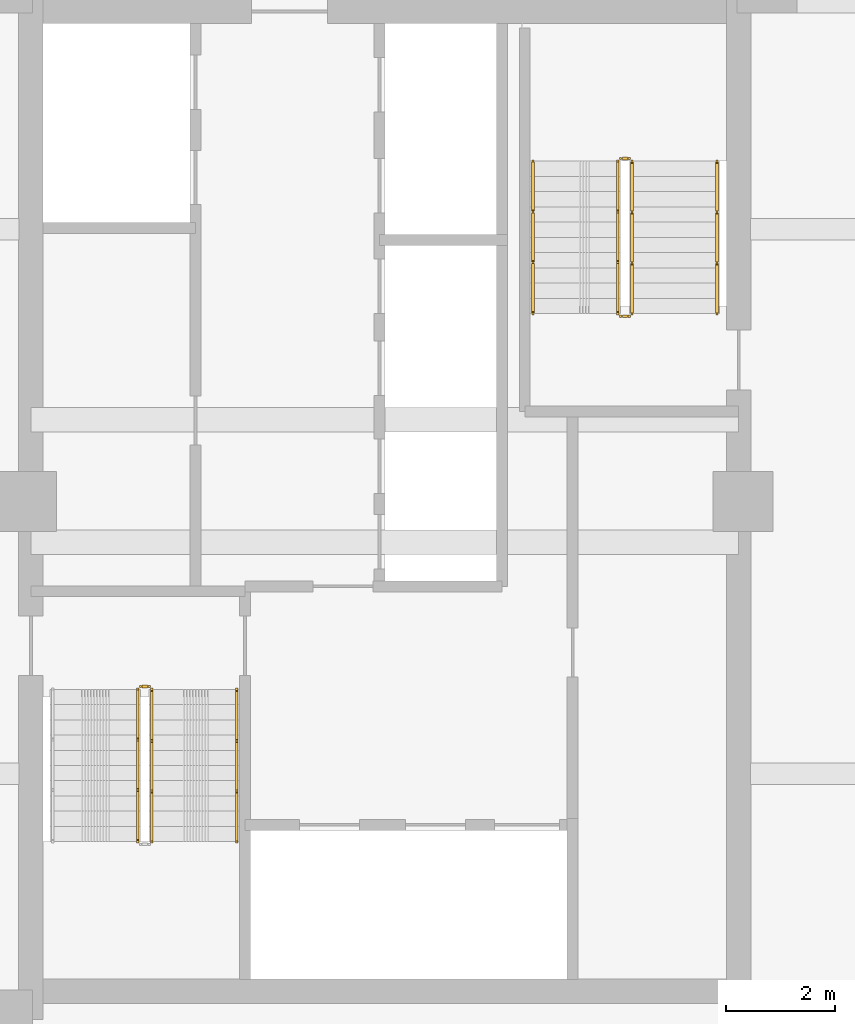
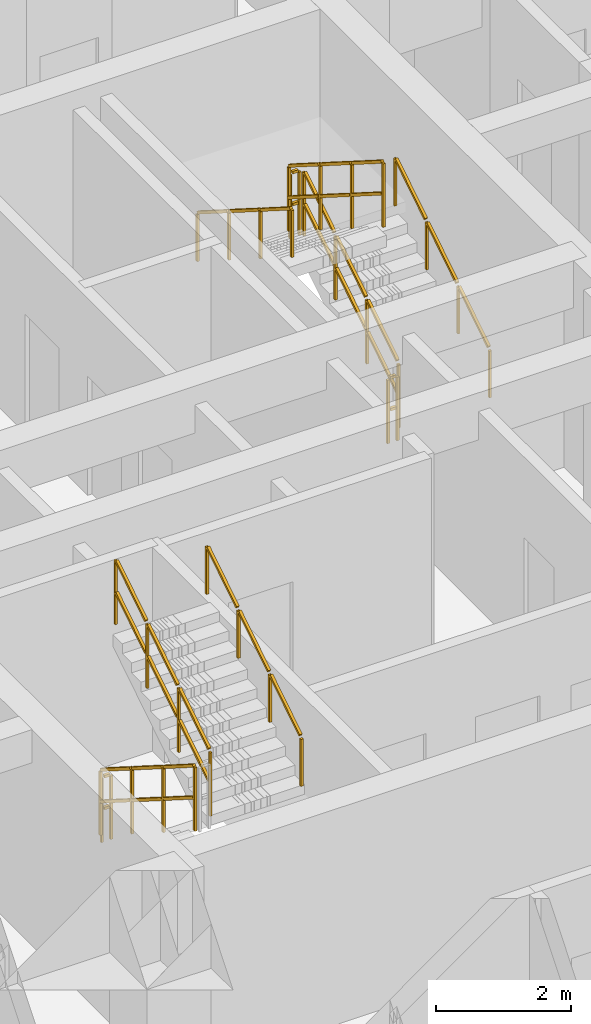
# One storey, part 13 of 15: 10 railings.
"""IFC4 building model written with IfcOpenShell, lengths in metres."""

from ifc_helpers import new_model, si_unit, direction, frame, origin, origin_2d, place, context, subcontext, project, spatial, rectangle, extrude, material, type_object, element, save


model = new_model("IFC4")

# Units and contexts
model_context = context("Model", 3, precision=1e-05, world=origin(), true_north=direction((0.0, 1.0)))
body_context = subcontext(model_context, "Body", "Model", "MODEL_VIEW")
ifc_project = project(units=[si_unit("LENGTHUNIT", "METRE"), si_unit("AREAUNIT", "SQUARE_METRE"), si_unit("VOLUMEUNIT", "CUBIC_METRE"), si_unit("PLANEANGLEUNIT", "RADIAN"), si_unit("MASSUNIT", "GRAM", prefix="KILO")], contexts=[model_context])

# Site, building, storey
site_placement = place(None, origin())
site = spatial("IfcSite", under=ifc_project, at=site_placement, CompositionType="ELEMENT")
building_placement = place(site_placement, origin())
building = spatial("IfcBuilding", under=site, at=building_placement, Name="Saelheon Loggia Tower", CompositionType="ELEMENT")
storey_placement = place(building_placement, frame((0.0, 0.0, 169.0)))
storey = spatial("IfcBuildingStorey", under=building, at=storey_placement, Name="L53", CompositionType="ELEMENT", Elevation=169.0)

# Railings
ifc_material_1 = material(Name="Galvanised Steel S275 Stairwell Guardrail", Category="steel")
railing_type_1 = type_object("IfcRailingType", Name="Guard_StairWell_RL_STG", PredefinedType="GUARDRAIL", material=ifc_material_1)
railing_1_placement = place(storey_placement, frame((33.4599609375, 23.550048828125, 0.17724609375)))
element("IfcRailing", 1, at=railing_1_placement, inside=storey, type_object=railing_type_1, Name="L53 ST1 stair guard 1", PredefinedType="GUARDRAIL", context=body_context, shape_type="SweptSolid", body=[
    extrude(rectangle(XDim=0.048095703125, YDim=0.048095703125, at=origin_2d()), frame((0.0, -0.028076171875, 1.193603515625), z_axis=(0.0, -0.844908973607, 0.534910110503), x_axis=(1.0, 0.0, 0.0)), (0.0, 0.0, 1.0), 1.0380859375),
    extrude(rectangle(XDim=0.048095703125, YDim=0.048095703125, at=origin_2d()), frame((0.0, -0.028076171875, 0.61767578125), z_axis=(0.0, -0.844908973607, 0.534910110503), x_axis=(1.0, 0.0, 0.0)), (0.0, 0.0, 1.0), 1.0380859375),
    extrude(rectangle(XDim=0.048095703125, YDim=0.048095703125, at=origin_2d()), frame((0.0, -0.96142578125, 1.78466796875), z_axis=(0.0, -0.844908973607, 0.534910110503), x_axis=(1.0, 0.0, 0.0)), (0.0, 0.0, 1.0), 1.0380859375),
    extrude(rectangle(XDim=0.048095703125, YDim=0.048095703125, at=origin_2d()), frame((0.0, -0.96142578125, 1.208740234375), z_axis=(0.0, -0.844908973607, 0.534910110503), x_axis=(1.0, 0.0, 0.0)), (0.0, 0.0, 1.0), 1.0380859375),
    extrude(rectangle(XDim=0.048095703125, YDim=0.048095703125, at=origin_2d()), frame((0.0, -1.894775390625, 2.37548828125), z_axis=(0.0, -0.844908973607, 0.534910110503), x_axis=(1.0, 0.0, 0.0)), (0.0, 0.0, 1.0), 1.0380859375),
    extrude(rectangle(XDim=0.048095703125, YDim=0.048095703125, at=origin_2d()), frame((0.0, -1.894775390625, 1.799560546875), z_axis=(0.0, -0.844908973607, 0.534910110503), x_axis=(1.0, 0.0, 0.0)), (0.0, 0.0, 1.0), 1.0380859375),
    extrude(rectangle(XDim=0.0419921875, YDim=0.0419921875, at=origin_2d()), origin(), (0.0, 0.0, 1.0), 1.14794921875),
    extrude(rectangle(XDim=0.0419921875, YDim=0.0419921875, at=origin_2d()), frame((0.0, -0.933349609375, 0.5908203125)), (0.0, 0.0, 1.0), 1.14794921875),
    extrude(rectangle(XDim=0.0419921875, YDim=0.0419921875, at=origin_2d()), frame((0.0, -1.86669921875, 1.181884765625)), (0.0, 0.0, 1.0), 1.14794921875),
    extrude(rectangle(XDim=0.0419921875, YDim=0.0419921875, at=origin_2d()), frame((0.0, -2.800048828125, 1.772705078125)), (0.0, 0.0, 1.0), 1.14794921875),
])
railing_2_placement = place(storey_placement, frame((33.719970703125, 20.75, 2.127197265625)))
element("IfcRailing", 2, at=railing_2_placement, inside=storey, type_object=railing_type_1, Name="L53 ST1 stair guard 3", PredefinedType="GUARDRAIL", context=body_context, shape_type="SweptSolid", body=[
    extrude(rectangle(XDim=0.048095703125, YDim=0.048095703125, at=origin_2d()), frame((0.0, 0.028076171875, 1.193603515625), z_axis=(0.0, 0.844908973607, 0.534910110503), x_axis=(-1.0, 0.0, 0.0)), (0.0, 0.0, 1.0), 1.0380859375),
    extrude(rectangle(XDim=0.048095703125, YDim=0.048095703125, at=origin_2d()), frame((0.0, 0.028076171875, 0.61767578125), z_axis=(0.0, 0.844908973607, 0.534910110503), x_axis=(-1.0, 0.0, 0.0)), (0.0, 0.0, 1.0), 1.0380859375),
    extrude(rectangle(XDim=0.048095703125, YDim=0.048095703125, at=origin_2d()), frame((0.0, 0.96142578125, 1.78466796875), z_axis=(0.0, 0.844908973607, 0.534910110503), x_axis=(-1.0, 0.0, 0.0)), (0.0, 0.0, 1.0), 1.0380859375),
    extrude(rectangle(XDim=0.048095703125, YDim=0.048095703125, at=origin_2d()), frame((0.0, 0.96142578125, 1.208740234375), z_axis=(0.0, 0.844908973607, 0.534910110503), x_axis=(-1.0, 0.0, 0.0)), (0.0, 0.0, 1.0), 1.0380859375),
    extrude(rectangle(XDim=0.048095703125, YDim=0.048095703125, at=origin_2d()), frame((0.0, 1.894775390625, 2.37548828125), z_axis=(0.0, 0.844908973607, 0.534910110503), x_axis=(-1.0, 0.0, 0.0)), (0.0, 0.0, 1.0), 1.0380859375),
    extrude(rectangle(XDim=0.048095703125, YDim=0.048095703125, at=origin_2d()), frame((0.0, 1.894775390625, 1.799560546875), z_axis=(0.0, 0.844908973607, 0.534910110503), x_axis=(-1.0, 0.0, 0.0)), (0.0, 0.0, 1.0), 1.0380859375),
    extrude(rectangle(XDim=0.0419921875, YDim=0.0419921875, at=origin_2d()), origin(), (0.0, 0.0, 1.0), 1.14794921875),
    extrude(rectangle(XDim=0.0419921875, YDim=0.0419921875, at=origin_2d()), frame((0.0, 0.933349609375, 0.5908203125)), (0.0, 0.0, 1.0), 1.14794921875),
    extrude(rectangle(XDim=0.0419921875, YDim=0.0419921875, at=origin_2d()), frame((0.0, 1.86669921875, 1.181884765625)), (0.0, 0.0, 1.0), 1.14794921875),
    extrude(rectangle(XDim=0.0419921875, YDim=0.0419921875, at=origin_2d()), frame((0.0, 2.800048828125, 1.772705078125)), (0.0, 0.0, 1.0), 1.14794921875),
])
railing_3_placement = place(storey_placement, frame((33.510009765625, 23.60009765625, 0.0)))
element("IfcRailing", 3, at=railing_3_placement, inside=storey, type_object=railing_type_1, Name="L53 ST1 stair guard 4", PredefinedType="GUARDRAIL", context=body_context, shape_type="SweptSolid", body=[
    extrude(rectangle(XDim=0.048095703125, YDim=0.048095703125, at=origin_2d()), frame((0.033203125, 0.0, 1.17578125), z_axis=(1.0, 0.0, 0.0), x_axis=(0.0, 1.0, 0.0)), (0.0, 0.0, 1.0), 0.093505859375),
    extrude(rectangle(XDim=0.048095703125, YDim=0.048095703125, at=origin_2d()), frame((0.033203125, 0.0, 0.60009765625), z_axis=(1.0, 0.0, 0.0), x_axis=(0.0, 1.0, 0.0)), (0.0, 0.0, 1.0), 0.093505859375),
    extrude(rectangle(XDim=0.0419921875, YDim=0.0419921875, at=origin_2d()), origin(), (0.0, 0.0, 1.0), 1.14794921875),
    extrude(rectangle(XDim=0.0419921875, YDim=0.0419921875, at=origin_2d()), frame((0.159912109375, 0.0, 0.0)), (0.0, 0.0, 1.0), 1.14794921875),
])
railing_4_placement = place(storey_placement, frame((42.5400390625, 30.449951171875, 0.17724609375)))
element("IfcRailing", 4, at=railing_4_placement, inside=storey, type_object=railing_type_1, Name="L53 ST2 stair guard 1", PredefinedType="GUARDRAIL", context=body_context, shape_type="SweptSolid", body=[
    extrude(rectangle(XDim=0.048095703125, YDim=0.048095703125, at=origin_2d()), frame((0.0, 0.028076171875, 1.193603515625), z_axis=(0.0, 0.844908973607, 0.534910110503), x_axis=(-1.0, 0.0, 0.0)), (0.0, 0.0, 1.0), 1.0380859375),
    extrude(rectangle(XDim=0.048095703125, YDim=0.048095703125, at=origin_2d()), frame((0.0, 0.028076171875, 0.61767578125), z_axis=(0.0, 0.844908973607, 0.534910110503), x_axis=(-1.0, 0.0, 0.0)), (0.0, 0.0, 1.0), 1.0380859375),
    extrude(rectangle(XDim=0.048095703125, YDim=0.048095703125, at=origin_2d()), frame((0.0, 0.96142578125, 1.78466796875), z_axis=(0.0, 0.844908973607, 0.534910110503), x_axis=(-1.0, 0.0, 0.0)), (0.0, 0.0, 1.0), 1.0380859375),
    extrude(rectangle(XDim=0.048095703125, YDim=0.048095703125, at=origin_2d()), frame((0.0, 0.96142578125, 1.208740234375), z_axis=(0.0, 0.844908973607, 0.534910110503), x_axis=(-1.0, 0.0, 0.0)), (0.0, 0.0, 1.0), 1.0380859375),
    extrude(rectangle(XDim=0.048095703125, YDim=0.048095703125, at=origin_2d()), frame((0.0, 1.894775390625, 2.37548828125), z_axis=(0.0, 0.844908973607, 0.534910110503), x_axis=(-1.0, 0.0, 0.0)), (0.0, 0.0, 1.0), 1.0380859375),
    extrude(rectangle(XDim=0.048095703125, YDim=0.048095703125, at=origin_2d()), frame((0.0, 1.894775390625, 1.799560546875), z_axis=(0.0, 0.844908973607, 0.534910110503), x_axis=(-1.0, 0.0, 0.0)), (0.0, 0.0, 1.0), 1.0380859375),
    extrude(rectangle(XDim=0.0419921875, YDim=0.0419921875, at=origin_2d()), origin(), (0.0, 0.0, 1.0), 1.14794921875),
    extrude(rectangle(XDim=0.0419921875, YDim=0.0419921875, at=origin_2d()), frame((0.0, 0.933349609375, 0.5908203125)), (0.0, 0.0, 1.0), 1.14794921875),
    extrude(rectangle(XDim=0.0419921875, YDim=0.0419921875, at=origin_2d()), frame((0.0, 1.86669921875, 1.181884765625)), (0.0, 0.0, 1.0), 1.14794921875),
    extrude(rectangle(XDim=0.0419921875, YDim=0.0419921875, at=origin_2d()), frame((0.0, 2.800048828125, 1.772705078125)), (0.0, 0.0, 1.0), 1.14794921875),
])
railing_5_placement = place(storey_placement, frame((42.489990234375, 33.300048828125, 1.949951171875)))
element("IfcRailing", 5, at=railing_5_placement, inside=storey, type_object=railing_type_1, Name="L53 ST2 stair guard 2", PredefinedType="GUARDRAIL", context=body_context, shape_type="SweptSolid", body=[
    extrude(rectangle(XDim=0.048095703125, YDim=0.048095703125, at=origin_2d()), frame((-0.033203125, 0.0, 1.17578125), z_axis=(-1.0, 0.0, 0.0), x_axis=(0.0, -1.0, 0.0)), (0.0, 0.0, 1.0), 0.093505859375),
    extrude(rectangle(XDim=0.048095703125, YDim=0.048095703125, at=origin_2d()), frame((-0.033203125, 0.0, 0.60009765625), z_axis=(-1.0, 0.0, 0.0), x_axis=(0.0, -1.0, 0.0)), (0.0, 0.0, 1.0), 0.093505859375),
    extrude(rectangle(XDim=0.0419921875, YDim=0.0419921875, at=origin_2d()), origin(), (0.0, 0.0, 1.0), 1.14794921875),
    extrude(rectangle(XDim=0.0419921875, YDim=0.0419921875, at=origin_2d()), frame((-0.159912109375, 0.0, 0.0)), (0.0, 0.0, 1.0), 1.14794921875),
])
railing_6_placement = place(storey_placement, frame((42.280029296875, 33.25, 2.127197265625)))
element("IfcRailing", 6, at=railing_6_placement, inside=storey, type_object=railing_type_1, Name="L53 ST2 stair guard 3", PredefinedType="GUARDRAIL", context=body_context, shape_type="SweptSolid", body=[
    extrude(rectangle(XDim=0.048095703125, YDim=0.048095703125, at=origin_2d()), frame((0.0, -0.028076171875, 1.193603515625), z_axis=(0.0, -0.844908973607, 0.534910110503), x_axis=(1.0, 0.0, 0.0)), (0.0, 0.0, 1.0), 1.0380859375),
    extrude(rectangle(XDim=0.048095703125, YDim=0.048095703125, at=origin_2d()), frame((0.0, -0.028076171875, 0.61767578125), z_axis=(0.0, -0.844908973607, 0.534910110503), x_axis=(1.0, 0.0, 0.0)), (0.0, 0.0, 1.0), 1.0380859375),
    extrude(rectangle(XDim=0.048095703125, YDim=0.048095703125, at=origin_2d()), frame((0.0, -0.96142578125, 1.78466796875), z_axis=(0.0, -0.844908973607, 0.534910110503), x_axis=(1.0, 0.0, 0.0)), (0.0, 0.0, 1.0), 1.0380859375),
    extrude(rectangle(XDim=0.048095703125, YDim=0.048095703125, at=origin_2d()), frame((0.0, -0.96142578125, 1.208740234375), z_axis=(0.0, -0.844908973607, 0.534910110503), x_axis=(1.0, 0.0, 0.0)), (0.0, 0.0, 1.0), 1.0380859375),
    extrude(rectangle(XDim=0.048095703125, YDim=0.048095703125, at=origin_2d()), frame((0.0, -1.894775390625, 2.37548828125), z_axis=(0.0, -0.844908973607, 0.534910110503), x_axis=(1.0, 0.0, 0.0)), (0.0, 0.0, 1.0), 1.0380859375),
    extrude(rectangle(XDim=0.048095703125, YDim=0.048095703125, at=origin_2d()), frame((0.0, -1.894775390625, 1.799560546875), z_axis=(0.0, -0.844908973607, 0.534910110503), x_axis=(1.0, 0.0, 0.0)), (0.0, 0.0, 1.0), 1.0380859375),
    extrude(rectangle(XDim=0.0419921875, YDim=0.0419921875, at=origin_2d()), origin(), (0.0, 0.0, 1.0), 1.14794921875),
    extrude(rectangle(XDim=0.0419921875, YDim=0.0419921875, at=origin_2d()), frame((0.0, -0.933349609375, 0.5908203125)), (0.0, 0.0, 1.0), 1.14794921875),
    extrude(rectangle(XDim=0.0419921875, YDim=0.0419921875, at=origin_2d()), frame((0.0, -1.86669921875, 1.181884765625)), (0.0, 0.0, 1.0), 1.14794921875),
    extrude(rectangle(XDim=0.0419921875, YDim=0.0419921875, at=origin_2d()), frame((0.0, -2.800048828125, 1.772705078125)), (0.0, 0.0, 1.0), 1.14794921875),
])
railing_7_placement = place(storey_placement, frame((42.489990234375, 30.39990234375, 0.0)))
element("IfcRailing", 7, at=railing_7_placement, inside=storey, type_object=railing_type_1, Name="L53 ST2 stair guard 4", PredefinedType="GUARDRAIL", context=body_context, shape_type="SweptSolid", body=[
    extrude(rectangle(XDim=0.048095703125, YDim=0.048095703125, at=origin_2d()), frame((-0.033203125, 0.0, 1.17578125), z_axis=(-1.0, 0.0, 0.0), x_axis=(0.0, -1.0, 0.0)), (0.0, 0.0, 1.0), 0.093505859375),
    extrude(rectangle(XDim=0.048095703125, YDim=0.048095703125, at=origin_2d()), frame((-0.033203125, 0.0, 0.60009765625), z_axis=(-1.0, 0.0, 0.0), x_axis=(0.0, -1.0, 0.0)), (0.0, 0.0, 1.0), 0.093505859375),
    extrude(rectangle(XDim=0.0419921875, YDim=0.0419921875, at=origin_2d()), origin(), (0.0, 0.0, 1.0), 1.14794921875),
    extrude(rectangle(XDim=0.0419921875, YDim=0.0419921875, at=origin_2d()), frame((-0.159912109375, 0.0, 0.0)), (0.0, 0.0, 1.0), 1.14794921875),
])
ifc_material_2 = material(Name="Stainless Steel 304 Tubular Handrail", Category="steel")
railing_type_2 = type_object("IfcRailingType", Name="Handrail_Stair_RL_HR1", PredefinedType="HANDRAIL", material=ifc_material_2)
for number, where, name in (
    (8, (35.280029296875, 20.75, 2.127197265625), "L53 ST1 stair handrail 2"),
    (9, (44.10009765625, 30.449951171875, 0.17724609375), "L53 ST2 stair handrail 1"),
):
    element("IfcRailing", number, at=place(storey_placement, frame(where)), inside=storey, type_object=railing_type_2, Name=name, PredefinedType="HANDRAIL", context=body_context, shape_type="SweptSolid", body=[
        extrude(rectangle(XDim=0.048095703125, YDim=0.048095703125, at=origin_2d()), frame((0.0, 0.028076171875, 0.8935546875), z_axis=(0.0, 0.844908973607, 0.534910110503), x_axis=(-1.0, 0.0, 0.0)), (0.0, 0.0, 1.0), 1.0380859375),
        extrude(rectangle(XDim=0.048095703125, YDim=0.048095703125, at=origin_2d()), frame((0.0, 0.96142578125, 1.484619140625), z_axis=(0.0, 0.844908973607, 0.534910110503), x_axis=(-1.0, 0.0, 0.0)), (0.0, 0.0, 1.0), 1.0380859375),
        extrude(rectangle(XDim=0.048095703125, YDim=0.048095703125, at=origin_2d()), frame((0.0, 1.894775390625, 2.075439453125), z_axis=(0.0, 0.844908973607, 0.534910110503), x_axis=(-1.0, 0.0, 0.0)), (0.0, 0.0, 1.0), 1.0380859375),
        extrude(rectangle(XDim=0.0419921875, YDim=0.0419921875, at=origin_2d()), origin(), (0.0, 0.0, 1.0), 0.847900390625),
        extrude(rectangle(XDim=0.0419921875, YDim=0.0419921875, at=origin_2d()), frame((0.0, 0.933349609375, 0.5908203125)), (0.0, 0.0, 1.0), 0.847900390625),
        extrude(rectangle(XDim=0.0419921875, YDim=0.0419921875, at=origin_2d()), frame((0.0, 1.86669921875, 1.181884765625)), (0.0, 0.0, 1.0), 0.847900390625),
        extrude(rectangle(XDim=0.0419921875, YDim=0.0419921875, at=origin_2d()), frame((0.0, 2.800048828125, 1.772705078125)), (0.0, 0.0, 1.0), 0.847900390625),
    ])
railing_8_placement = place(storey_placement, frame((40.719970703125, 33.25, 2.127197265625)))
element("IfcRailing", 10, at=railing_8_placement, inside=storey, type_object=railing_type_2, Name="L53 ST2 stair handrail 2", PredefinedType="HANDRAIL", context=body_context, shape_type="SweptSolid", body=[
    extrude(rectangle(XDim=0.048095703125, YDim=0.048095703125, at=origin_2d()), frame((0.0, -0.028076171875, 0.8935546875), z_axis=(0.0, -0.844908973607, 0.534910110503), x_axis=(1.0, 0.0, 0.0)), (0.0, 0.0, 1.0), 1.0380859375),
    extrude(rectangle(XDim=0.048095703125, YDim=0.048095703125, at=origin_2d()), frame((0.0, -0.96142578125, 1.484619140625), z_axis=(0.0, -0.844908973607, 0.534910110503), x_axis=(1.0, 0.0, 0.0)), (0.0, 0.0, 1.0), 1.0380859375),
    extrude(rectangle(XDim=0.048095703125, YDim=0.048095703125, at=origin_2d()), frame((0.0, -1.894775390625, 2.075439453125), z_axis=(0.0, -0.844908973607, 0.534910110503), x_axis=(1.0, 0.0, 0.0)), (0.0, 0.0, 1.0), 1.0380859375),
    extrude(rectangle(XDim=0.0419921875, YDim=0.0419921875, at=origin_2d()), origin(), (0.0, 0.0, 1.0), 0.847900390625),
    extrude(rectangle(XDim=0.0419921875, YDim=0.0419921875, at=origin_2d()), frame((0.0, -0.933349609375, 0.5908203125)), (0.0, 0.0, 1.0), 0.847900390625),
    extrude(rectangle(XDim=0.0419921875, YDim=0.0419921875, at=origin_2d()), frame((0.0, -1.86669921875, 1.181884765625)), (0.0, 0.0, 1.0), 0.847900390625),
    extrude(rectangle(XDim=0.0419921875, YDim=0.0419921875, at=origin_2d()), frame((0.0, -2.800048828125, 1.772705078125)), (0.0, 0.0, 1.0), 0.847900390625),
])

save(model, "model.ifc")
